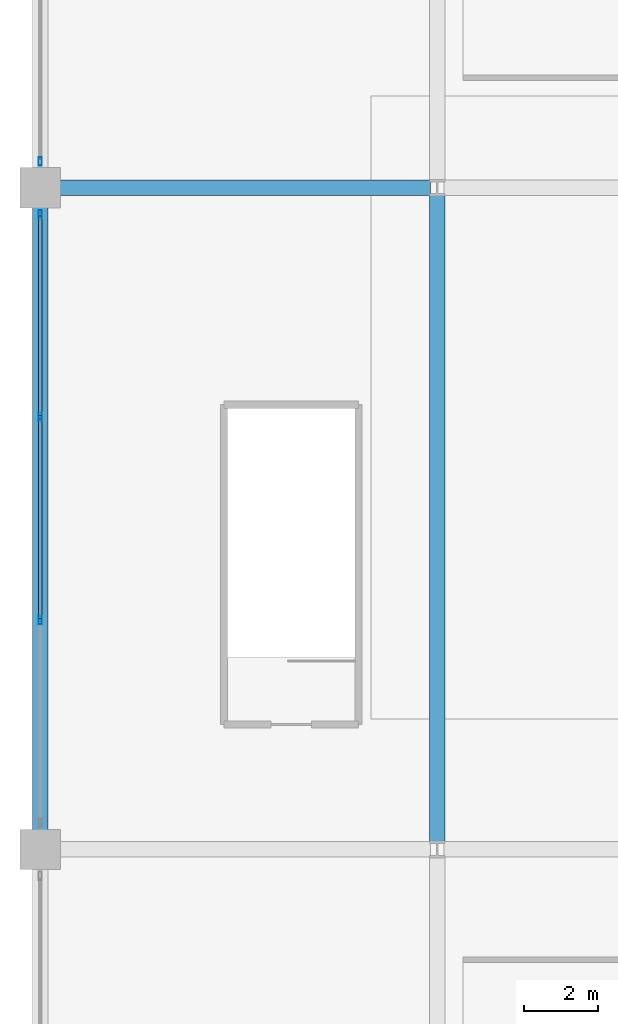
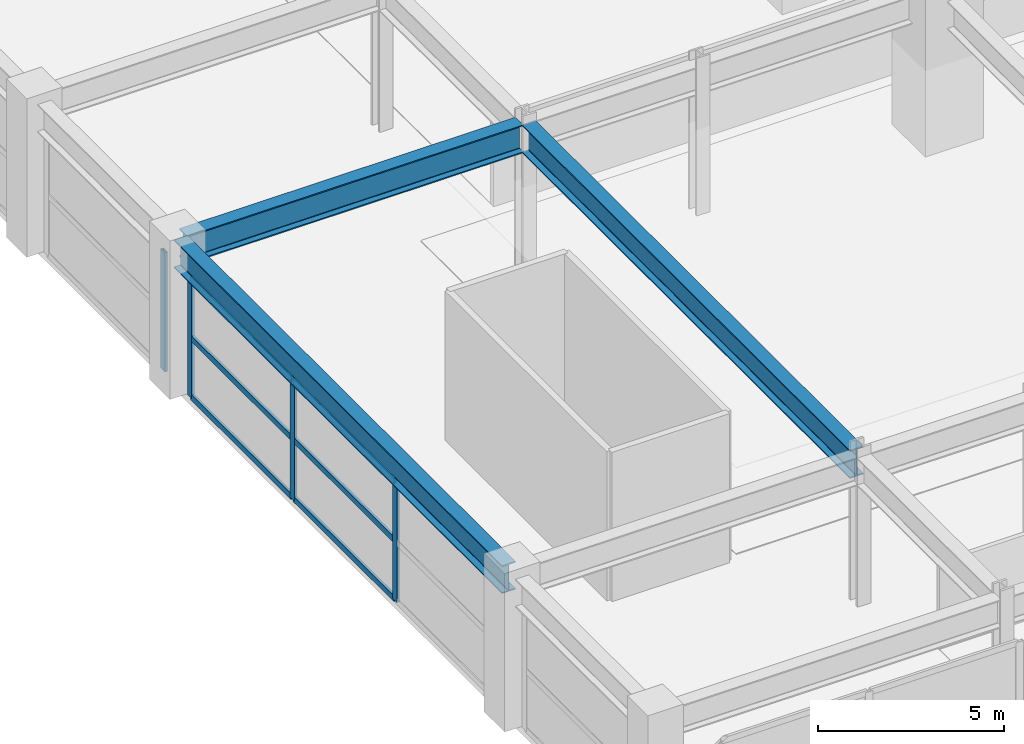
# One storey, part 7 of 35: 10 members, 3 beams, 2 elements without a shape of their own.
"""IFC4 building model written with IfcOpenShell, lengths in metres."""

from ifc_helpers import new_model, si_unit, direction, frame, origin, origin_2d, place, context, subcontext, project, spatial, hollow_rectangle, i_section, extrude, material, material_profile, profile_set, type_object, element, aggregate, save


model = new_model("IFC4")

# Units and contexts
model_context = context("Model", 3, precision=1e-05, world=origin(), true_north=direction((0.0, 1.0)))
body_context = subcontext(model_context, "Body", "Model", "MODEL_VIEW")
ifc_project = project(units=[si_unit("LENGTHUNIT", "METRE"), si_unit("AREAUNIT", "SQUARE_METRE"), si_unit("VOLUMEUNIT", "CUBIC_METRE"), si_unit("PLANEANGLEUNIT", "RADIAN"), si_unit("MASSUNIT", "GRAM", prefix="KILO")], contexts=[model_context])

# Site, building, storey
site_placement = place(None, origin())
site = spatial("IfcSite", under=ifc_project, at=site_placement, CompositionType="ELEMENT")
building_placement = place(site_placement, origin())
building = spatial("IfcBuilding", under=site, at=building_placement, Name="Kovane Verandah Tower", CompositionType="ELEMENT")
storey_placement = place(building_placement, frame((0.0, 0.0, 16.39990234375)))
storey = spatial("IfcBuildingStorey", under=building, at=storey_placement, Name="L03", CompositionType="ELEMENT", Elevation=16.39990234375)

# Beams
ifc_material_1 = material(Name="Steel S460", Category="steel")
ifc_material_profile_1 = material_profile(ifc_material_1, i_section(OverallWidth=0.42041015625, OverallDepth=0.9208984375, WebThickness=0.021484375, FlangeThickness=0.03662109375, FilletRadius=0.024169921875, at=origin_2d()), Name="UB914x419x388")
ifc_profile_set_1 = profile_set([ifc_material_profile_1], Name="Steel S460")
beam_type = type_object("IfcBeamType", Name="BM-UB914x388", PredefinedType="BEAM", material=ifc_profile_set_1)
beam_placement = place(storey_placement, frame((-1.820068359375, 36.5, 4.439697265625), z_axis=(1.0, 0.0, 0.0), x_axis=(0.0, 1.0, 0.0)))
element("IfcBeam", 1, at=beam_placement, inside=storey, type_object=beam_type, Name="L03 Podium Garden Transfer Girder X09", PredefinedType="BEAM", context=body_context, shape_type="SweptSolid", body=[
    extrude(i_section(OverallWidth=0.42041015625, OverallDepth=0.9208984375, WebThickness=0.021484375, FlangeThickness=0.03662109375, FilletRadius=0.024169921875, at=origin_2d()), origin(), (0.0, 0.0, 1.0), 10.440185546875),
])
for number, where, z_axis, x_axis, name in (
    (2, (-2.0, 18.679931640625, 4.439697265625), (0.0, 1.0, 0.0), (-1.0, 0.0, 0.0), "L03 Podium Garden Transfer Girder Y25"),
    (3, (8.800048828125, 18.679931640625, 4.439697265625), (0.0, 1.0, 0.0), (-1.0, 0.0, 0.0), "L03 Podium Garden Transfer Girder Y29"),
):
    element("IfcBeam", number, at=place(storey_placement, frame(where, z_axis=z_axis, x_axis=x_axis)), inside=storey, type_object=beam_type, Name=name, PredefinedType="BEAM", context=body_context, shape_type="SweptSolid", body=[
        extrude(i_section(OverallWidth=0.42041015625, OverallDepth=0.9208984375, WebThickness=0.021484375, FlangeThickness=0.03662109375, FilletRadius=0.024169921875, at=origin_2d()), origin(), (0.0, 0.0, 1.0), 17.64013671875),
    ])

# Curtain wall, members
ifc_material_2 = material(Name="Champagne Anodised Aluminium Frame with Low-E Clear Laminated Glass", Category="aluminium")
curtain_wall_type = type_object("IfcCurtainWallType", Name="CW-SYS-01-POD", PredefinedType="NOTDEFINED", material=ifc_material_2)
curtain_wall_1_placement = place(storey_placement, origin())
curtain_wall_1 = element("IfcCurtainWall", 4, at=curtain_wall_1_placement, inside=storey, type_object=curtain_wall_type, Name="L03 West Podium Curtain Wall Bay 3", PredefinedType="NOTDEFINED")
ifc_material_3 = material(Name="Champagne Anodised Aluminium 6063-T6", Category="aluminium")
ifc_material_profile_2 = material_profile(ifc_material_3, hollow_rectangle(XDim=0.0849609375, YDim=0.22998046875, WallThickness=0.00390625, at=origin_2d()), Name="AL85x230x4")
ifc_profile_set_2 = profile_set([ifc_material_profile_2], Name="Champagne Anodised Aluminium 6063-T6")
member_type_1 = type_object("IfcMemberType", Name="CW-MUL-85x230", PredefinedType="MULLION", material=ifc_profile_set_2)
member_1_placement = place(storey_placement, frame((-2.0, 35.780029296875, 0.02001953125), z_axis=(0.0, 0.0, 1.0), x_axis=(-1.0, 0.0, 0.0)))
member_1 = element("IfcMember", 5, at=member_1_placement, type_object=member_type_1, Name="L03 West Podium Curtain Wall Bay 3 Mullion 1", PredefinedType="MULLION", context=body_context, shape_type="SweptSolid", body=[
    extrude(hollow_rectangle(XDim=0.0849609375, YDim=0.22998046875, WallThickness=0.00390625, at=origin_2d()), origin(), (0.0, 0.0, 1.0), 3.919189453125),
])
member_2_placement = place(storey_placement, frame((-2.0, 30.260009765625, 0.02001953125), z_axis=(0.0, 0.0, 1.0), x_axis=(-1.0, 0.0, 0.0)))
member_2 = element("IfcMember", 6, at=member_2_placement, type_object=member_type_1, Name="L03 West Podium Curtain Wall Bay 3 Mullion 2", PredefinedType="MULLION", context=body_context, shape_type="SweptSolid", body=[
    extrude(hollow_rectangle(XDim=0.0849609375, YDim=0.22998046875, WallThickness=0.00390625, at=origin_2d()), origin(), (0.0, 0.0, 1.0), 3.919189453125),
])
member_3_placement = place(storey_placement, frame((-2.0, 24.739990234375, 0.02001953125), z_axis=(0.0, 0.0, 1.0), x_axis=(-1.0, 0.0, 0.0)))
member_3 = element("IfcMember", 7, at=member_3_placement, type_object=member_type_1, Name="L03 West Podium Curtain Wall Bay 3 Mullion 3", PredefinedType="MULLION", context=body_context, shape_type="SweptSolid", body=[
    extrude(hollow_rectangle(XDim=0.0849609375, YDim=0.22998046875, WallThickness=0.00390625, at=origin_2d()), origin(), (0.0, 0.0, 1.0), 3.919189453125),
])

# Curtain wall, member
curtain_wall_2_placement = place(storey_placement, origin())
curtain_wall_2 = element("IfcCurtainWall", 8, at=curtain_wall_2_placement, inside=storey, type_object=curtain_wall_type, Name="L03 West Podium Curtain Wall Bay 4", PredefinedType="NOTDEFINED")
member_4_placement = place(storey_placement, frame((-2.0, 37.219970703125, 0.02001953125), z_axis=(0.0, 0.0, 1.0), x_axis=(-1.0, 0.0, 0.0)))
member_4 = element("IfcMember", 9, at=member_4_placement, type_object=member_type_1, Name="L03 West Podium Curtain Wall Bay 4 Mullion 2", PredefinedType="MULLION", context=body_context, shape_type="SweptSolid", body=[
    extrude(hollow_rectangle(XDim=0.0849609375, YDim=0.22998046875, WallThickness=0.00390625, at=origin_2d()), origin(), (0.0, 0.0, 1.0), 3.919189453125),
])
aggregate(curtain_wall_2, [member_4])

# Member
ifc_material_profile_3 = material_profile(ifc_material_3, hollow_rectangle(XDim=0.0849609375, YDim=0.18994140625, WallThickness=0.00390625, at=origin_2d()), Name="AL85x190x4")
ifc_profile_set_3 = profile_set([ifc_material_profile_3], Name="Champagne Anodised Aluminium 6063-T6")
member_type_2 = type_object("IfcMemberType", Name="CW-TRN-85x190", PredefinedType="USERDEFINED", material=ifc_profile_set_3)
member_5_placement = place(storey_placement, frame((-2.0, 35.72998046875, 0.050048828125), z_axis=(0.0, -1.0, 0.0), x_axis=(1.0, 0.0, 0.0)))
member_5 = element("IfcMember", 10, at=member_5_placement, type_object=member_type_2, Name="L03 West Podium Curtain Wall Bay 3 Transom TB Bay 1", ObjectType="TRANSOM", PredefinedType="USERDEFINED", context=body_context, shape_type="SweptSolid", body=[
    extrude(hollow_rectangle(XDim=0.0849609375, YDim=0.18994140625, WallThickness=0.00390625, at=origin_2d()), origin(), (0.0, 0.0, 1.0), 5.419921875),
])

member_6_placement = place(storey_placement, frame((-2.0, 35.72998046875, 1.9794921875), z_axis=(0.0, -1.0, 0.0), x_axis=(1.0, 0.0, 0.0)))
member_6 = element("IfcMember", 11, at=member_6_placement, type_object=member_type_2, Name="L03 West Podium Curtain Wall Bay 3 Transom TM Bay 1", ObjectType="TRANSOM", PredefinedType="USERDEFINED", context=body_context, shape_type="SweptSolid", body=[
    extrude(hollow_rectangle(XDim=0.0849609375, YDim=0.18994140625, WallThickness=0.00390625, at=origin_2d()), origin(), (0.0, 0.0, 1.0), 5.419921875),
])

member_7_placement = place(storey_placement, frame((-2.0, 35.72998046875, 3.9091796875), z_axis=(0.0, -1.0, 0.0), x_axis=(1.0, 0.0, 0.0)))
member_7 = element("IfcMember", 12, at=member_7_placement, type_object=member_type_2, Name="L03 West Podium Curtain Wall Bay 3 Transom TT Bay 1", ObjectType="TRANSOM", PredefinedType="USERDEFINED", context=body_context, shape_type="SweptSolid", body=[
    extrude(hollow_rectangle(XDim=0.0849609375, YDim=0.18994140625, WallThickness=0.00390625, at=origin_2d()), origin(), (0.0, 0.0, 1.0), 5.419921875),
])

member_8_placement = place(storey_placement, frame((-2.0, 30.2099609375, 0.050048828125), z_axis=(0.0, -1.0, 0.0), x_axis=(1.0, 0.0, 0.0)))
member_8 = element("IfcMember", 13, at=member_8_placement, type_object=member_type_2, Name="L03 West Podium Curtain Wall Bay 3 Transom TB Bay 2", ObjectType="TRANSOM", PredefinedType="USERDEFINED", context=body_context, shape_type="SweptSolid", body=[
    extrude(hollow_rectangle(XDim=0.0849609375, YDim=0.18994140625, WallThickness=0.00390625, at=origin_2d()), origin(), (0.0, 0.0, 1.0), 5.419921875),
])

member_9_placement = place(storey_placement, frame((-2.0, 30.2099609375, 1.9794921875), z_axis=(0.0, -1.0, 0.0), x_axis=(1.0, 0.0, 0.0)))
member_9 = element("IfcMember", 14, at=member_9_placement, type_object=member_type_2, Name="L03 West Podium Curtain Wall Bay 3 Transom TM Bay 2", ObjectType="TRANSOM", PredefinedType="USERDEFINED", context=body_context, shape_type="SweptSolid", body=[
    extrude(hollow_rectangle(XDim=0.0849609375, YDim=0.18994140625, WallThickness=0.00390625, at=origin_2d()), origin(), (0.0, 0.0, 1.0), 5.419921875),
])

member_10_placement = place(storey_placement, frame((-2.0, 30.2099609375, 3.9091796875), z_axis=(0.0, -1.0, 0.0), x_axis=(1.0, 0.0, 0.0)))
member_10 = element("IfcMember", 15, at=member_10_placement, type_object=member_type_2, Name="L03 West Podium Curtain Wall Bay 3 Transom TT Bay 2", ObjectType="TRANSOM", PredefinedType="USERDEFINED", context=body_context, shape_type="SweptSolid", body=[
    extrude(hollow_rectangle(XDim=0.0849609375, YDim=0.18994140625, WallThickness=0.00390625, at=origin_2d()), origin(), (0.0, 0.0, 1.0), 5.419921875),
])

aggregate(curtain_wall_1, [member_1, member_2, member_3, member_5, member_6, member_7, member_8, member_9, member_10])

save(model, "model.ifc")
